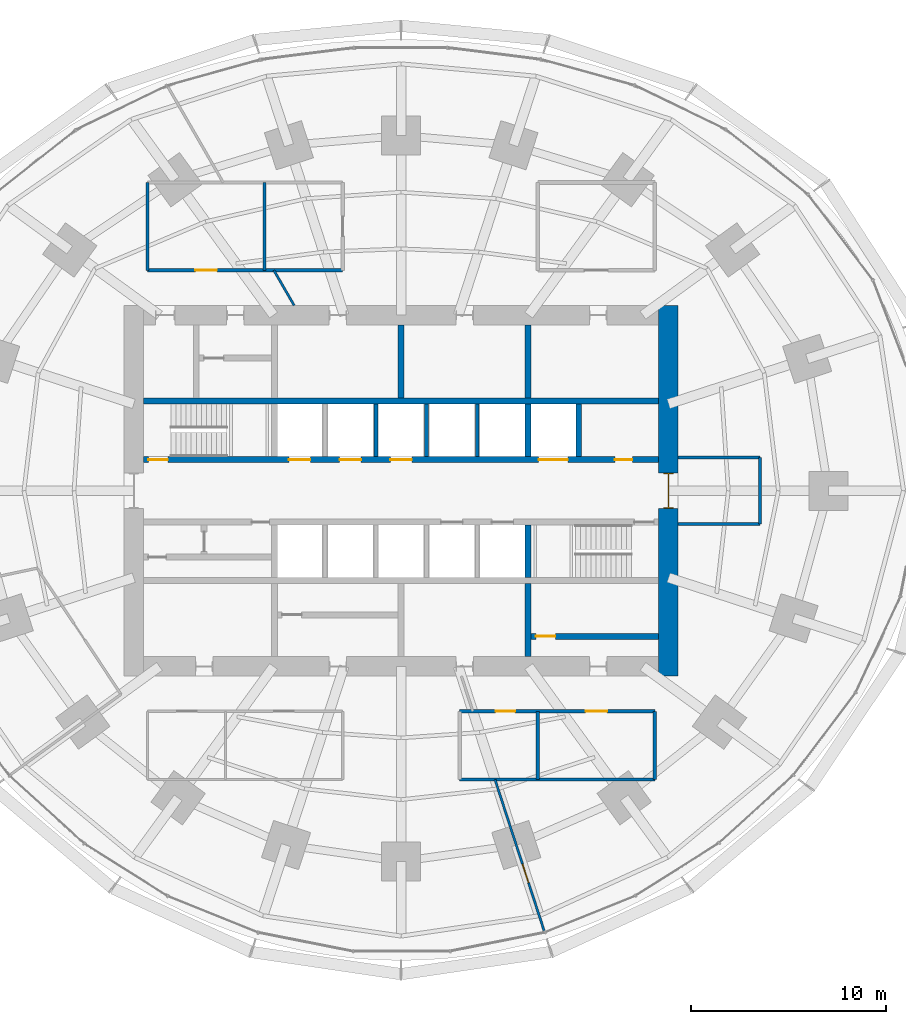
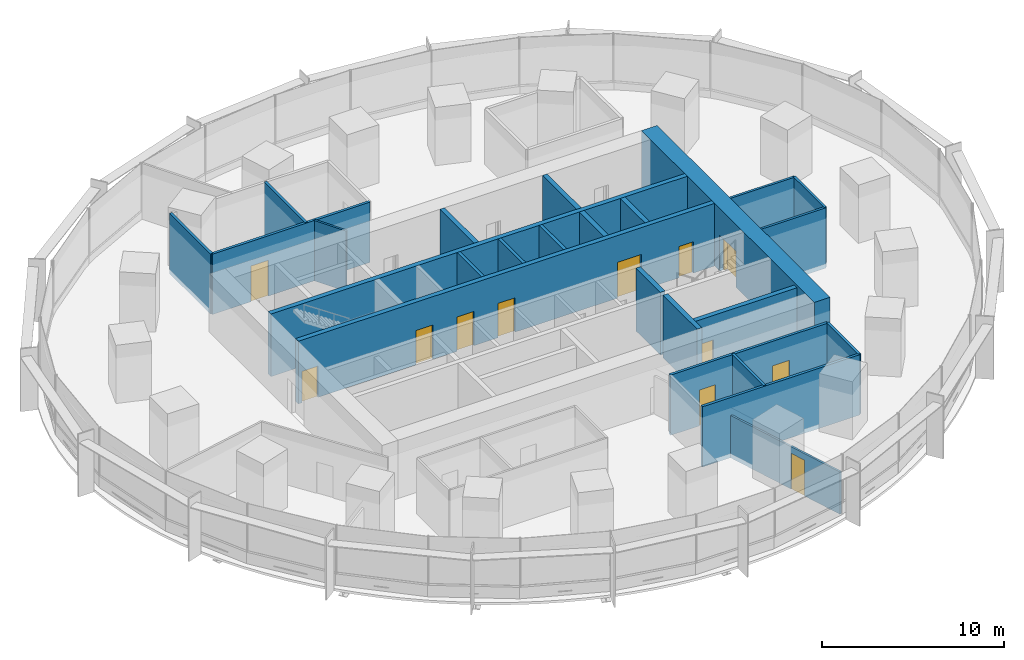
# One storey, part 12 of 15: 25 walls, 12 doors, 12 openings.
"""IFC4 building model written with IfcOpenShell, lengths in metres."""

from ifc_helpers import new_model, si_unit, direction, frame, frame_2d, origin, place, context, subcontext, project, spatial, rectangle, extrude, material, layer, layer_set, type_object, element, fill, save


model = new_model("IFC4")

# Units and contexts
model_context = context("Model", 3, precision=1e-05, world=origin(), true_north=direction((0.0, 1.0)))
body_context = subcontext(model_context, "Body", "Model", "MODEL_VIEW")
ifc_project = project(units=[si_unit("LENGTHUNIT", "METRE"), si_unit("AREAUNIT", "SQUARE_METRE"), si_unit("VOLUMEUNIT", "CUBIC_METRE"), si_unit("PLANEANGLEUNIT", "RADIAN"), si_unit("MASSUNIT", "GRAM", prefix="KILO")], contexts=[model_context])

# Site, building, storey
site_placement = place(None, origin())
site = spatial("IfcSite", under=ifc_project, at=site_placement, CompositionType="ELEMENT")
building_placement = place(site_placement, origin())
building = spatial("IfcBuilding", under=site, at=building_placement, Name="Marramba Exchange Tower", CompositionType="ELEMENT")
storey_placement = place(building_placement, frame((0.0, 0.0, 28.0)))
storey = spatial("IfcBuildingStorey", under=building, at=storey_placement, Name="L06", CompositionType="ELEMENT", Elevation=28.0)

# Walls
ifc_material_1 = material(Name="Plasterboard on staggered double steel studs, acoustic insulation", Category="steel")
ifc_layer_1 = layer(ifc_material_1, 0.169921875)
ifc_layer_set_1 = layer_set([ifc_layer_1], Name="Acoustic partition 170")
wall_type_1 = type_object("IfcWallType", Name="Acoustic partition 170", PredefinedType="PARTITIONING", material=ifc_layer_set_1)
wall_1_placement = place(storey_placement, frame((7.0, -11.300048828125, 0.0), z_axis=(0.0, 0.0, 1.0), x_axis=(0.0, -1.0, 0.0)))
element("IfcWall", 1, at=wall_1_placement, inside=storey, type_object=wall_type_1, Name="Acoustic partition L06 12", PredefinedType="PARTITIONING", context=body_context, shape_type="SweptSolid", body=[
    extrude(rectangle(XDim=3.5, YDim=0.169921875, at=frame_2d((1.75, 0.0))), origin(), (0.0, 0.0, 1.0), 4.0400390625),
])
wall_2_placement = place(storey_placement, frame((3.0, -14.800048828125, 0.0), z_axis=(0.0, 0.0, 1.0), x_axis=(1.0, 0.0, 0.0)))
element("IfcWall", 2, at=wall_2_placement, inside=storey, type_object=wall_type_1, Name="Acoustic partition L06 13", PredefinedType="PARTITIONING", context=body_context, shape_type="SweptSolid", body=[
    extrude(rectangle(XDim=10.0, YDim=0.169921875, at=frame_2d((5.0, 0.0))), origin(), (0.0, 0.0, 1.0), 4.0400390625),
])

# Wall, openings, doors
wall_3_placement = place(storey_placement, frame((13.0, -11.300048828125, 0.0), z_axis=(0.0, 0.0, 1.0), x_axis=(-1.0, 0.0, 0.0)))
wall_3 = element("IfcWall", 3, at=wall_3_placement, inside=storey, type_object=wall_type_1, Name="Acoustic partition L06 14", PredefinedType="PARTITIONING", context=body_context, shape_type="SweptSolid", body=[
    extrude(rectangle(XDim=10.0, YDim=0.169921875, at=frame_2d((5.0, 0.0))), origin(), (0.0, 0.0, 1.0), 4.0400390625),
])
opening_1_placement = place(wall_3_placement, frame((7.1640625, 0.0, 0.0)))
opening_1 = element("IfcOpeningElement", 4, at=opening_1_placement, cuts=wall_3, Name="Opening D9", PredefinedType="OPENING", context=body_context, shape_type="SweptSolid", body=[
    extrude(rectangle(XDim=1.0, YDim=2.39990234375, at=frame_2d((0.5, 1.199951171875))), frame((0.0, 0.094970703125, 0.0), z_axis=(0.0, -1.0, 0.0), x_axis=(1.0, 0.0, 0.0)), (0.0, 0.0, 1.0), 0.18994140625),
])
opening_2_placement = place(wall_3_placement, frame((2.449951171875, 0.0, 0.0)))
opening_2 = element("IfcOpeningElement", 5, at=opening_2_placement, cuts=wall_3, Name="Opening D15", PredefinedType="OPENING", context=body_context, shape_type="SweptSolid", body=[
    extrude(rectangle(XDim=1.10009765625, YDim=2.39990234375, at=frame_2d((0.550048828125, 1.199951171875))), frame((0.0, 0.094970703125, 0.0), z_axis=(0.0, -1.0, 0.0), x_axis=(1.0, 0.0, 0.0)), (0.0, 0.0, 1.0), 0.18994140625),
])
ifc_material_2 = material(Name="Timber door", Category="wood")
door_type_1 = type_object("IfcDoorType", Name="Glazed meeting room door 1100x2400", OperationType="SINGLE_SWING_LEFT", PredefinedType="DOOR", material=ifc_material_2)
door_1_placement = place(opening_2_placement, origin())
door_1 = element("IfcDoor", 6, at=door_1_placement, inside=storey, type_object=door_type_1, Name="D15 Meeting Room 2 L06", OperationType="SINGLE_SWING_RIGHT", OverallHeight=2.39990234375, OverallWidth=1.10009765625, PredefinedType="DOOR", context=body_context, shape_type="SweptSolid", body=[
    extrude(rectangle(XDim=1.10009765625, YDim=2.39990234375, at=frame_2d((0.550048828125, 1.199951171875))), frame((0.0, 0.02490234375, 0.0), z_axis=(0.0, -1.0, 0.0), x_axis=(1.0, 0.0, 0.0)), (0.0, 0.0, 1.0), 0.050048828125),
])
fill(opening_2, door_1)
door_type_2 = type_object("IfcDoorType", Name="Room door 1000x2400", OperationType="SINGLE_SWING_LEFT", PredefinedType="DOOR", material=ifc_material_2)
door_2_placement = place(opening_1_placement, origin())
door_2 = element("IfcDoor", 7, at=door_2_placement, inside=storey, type_object=door_type_2, Name="D9 Quiet Room L06", OperationType="SINGLE_SWING_LEFT", OverallHeight=2.39990234375, OverallWidth=1.0, PredefinedType="DOOR", context=body_context, shape_type="SweptSolid", body=[
    extrude(rectangle(XDim=1.0, YDim=2.39990234375, at=frame_2d((0.5, 1.199951171875))), frame((0.0, 0.02490234375, 0.0), z_axis=(0.0, -1.0, 0.0), x_axis=(1.0, 0.0, 0.0)), (0.0, 0.0, 1.0), 0.050048828125),
])
fill(opening_1, door_2)

# Walls
wall_4_placement = place(storey_placement, frame((13.0, -14.800048828125, 0.0), z_axis=(0.0, 0.0, 1.0), x_axis=(0.0, 1.0, 0.0)))
element("IfcWall", 8, at=wall_4_placement, inside=storey, type_object=wall_type_1, Name="Acoustic partition L06 15", PredefinedType="PARTITIONING", context=body_context, shape_type="SweptSolid", body=[
    extrude(rectangle(XDim=3.5, YDim=0.169921875, at=frame_2d((1.75, 0.0))), origin(), (0.0, 0.0, 1.0), 4.0400390625),
])
wall_5_placement = place(storey_placement, frame((-7.0, 15.800048828125, 0.0), z_axis=(0.0, 0.0, 1.0), x_axis=(0.0, -1.0, 0.0)))
element("IfcWall", 9, at=wall_5_placement, inside=storey, type_object=wall_type_1, Name="Acoustic partition L06 25", PredefinedType="PARTITIONING", context=body_context, shape_type="SweptSolid", body=[
    extrude(rectangle(XDim=4.5, YDim=0.169921875, at=frame_2d((2.25, 0.0))), origin(), (0.0, 0.0, 1.0), 4.0400390625),
])

# Wall, opening, door
wall_6_placement = place(storey_placement, frame((-13.0, 11.300048828125, 0.0), z_axis=(0.0, 0.0, 1.0), x_axis=(1.0, 0.0, 0.0)))
wall_6 = element("IfcWall", 10, at=wall_6_placement, inside=storey, type_object=wall_type_1, Name="Acoustic partition L06 28", PredefinedType="PARTITIONING", context=body_context, shape_type="SweptSolid", body=[
    extrude(rectangle(XDim=10.0, YDim=0.169921875, at=frame_2d((5.0, 0.0))), origin(), (0.0, 0.0, 1.0), 4.0400390625),
])
opening_3_placement = place(wall_6_placement, frame((2.449951171875, 0.0, 0.0)))
opening_3 = element("IfcOpeningElement", 11, at=opening_3_placement, cuts=wall_6, Name="Opening D15", PredefinedType="OPENING", context=body_context, shape_type="SweptSolid", body=[
    extrude(rectangle(XDim=1.10009765625, YDim=2.39990234375, at=frame_2d((0.550048828125, 1.199951171875))), frame((0.0, 0.094970703125, 0.0), z_axis=(0.0, -1.0, 0.0), x_axis=(1.0, 0.0, 0.0)), (0.0, 0.0, 1.0), 0.18994140625),
])
door_3_placement = place(opening_3_placement, origin())
door_3 = element("IfcDoor", 12, at=door_3_placement, inside=storey, type_object=door_type_1, Name="D15 Meeting Room 1 L06", OperationType="SINGLE_SWING_RIGHT", OverallHeight=2.39990234375, OverallWidth=1.10009765625, PredefinedType="DOOR", context=body_context, shape_type="SweptSolid", body=[
    extrude(rectangle(XDim=1.10009765625, YDim=2.39990234375, at=frame_2d((0.550048828125, 1.199951171875))), frame((0.0, 0.02490234375, 0.0), z_axis=(0.0, -1.0, 0.0), x_axis=(1.0, 0.0, 0.0)), (0.0, 0.0, 1.0), 0.050048828125),
])
fill(opening_3, door_3)

# Walls
wall_7_placement = place(storey_placement, frame((-13.0, 15.800048828125, 0.0), z_axis=(0.0, 0.0, 1.0), x_axis=(0.0, -1.0, 0.0)))
element("IfcWall", 13, at=wall_7_placement, inside=storey, type_object=wall_type_1, Name="Acoustic partition L06 29", PredefinedType="PARTITIONING", context=body_context, shape_type="SweptSolid", body=[
    extrude(rectangle(XDim=4.5, YDim=0.169921875, at=frame_2d((2.25, 0.0))), origin(), (0.0, 0.0, 1.0), 4.0400390625),
])
ifc_material_3 = material(Name="Concrete N50", Category="concrete")
ifc_layer_2 = layer(ifc_material_3, 0.199951171875)
ifc_layer_set_2 = layer_set([ifc_layer_2], Name="Core shaft wall 200")
wall_type_2 = type_object("IfcWallType", Name="Core shaft wall 200", PredefinedType="SHEAR", material=ifc_layer_set_2)
for number, where, z_axis, x_axis, name in (
    (14, (-1.300048828125, 1.75, 0.0), (0.0, 0.0, 1.0), (0.0, 1.0, 0.0), "Core wall SHN2 L06"),
    (15, (1.300048828125, 1.75, 0.0), (0.0, 0.0, 1.0), (0.0, 1.0, 0.0), "Core wall SHN3 L06"),
    (16, (3.89990234375, 1.75, 0.0), (0.0, 0.0, 1.0), (0.0, 1.0, 0.0), "Core wall SHN4 L06"),
):
    element("IfcWall", number, at=place(storey_placement, frame(where, z_axis=z_axis, x_axis=x_axis)), inside=storey, type_object=wall_type_2, Name=name, PredefinedType="SHEAR", context=body_context, shape_type="SweptSolid", body=[
        extrude(rectangle(XDim=2.699951171875, YDim=0.199951171875, at=frame_2d((1.35009765625, 0.0))), origin(), (0.0, 0.0, 1.0), 4.199951171875),
    ])

# Wall, opening, door
ifc_layer_3 = layer(ifc_material_3, 1.0)
ifc_layer_set_3 = layer_set([ifc_layer_3], Name="Core wall 1000")
wall_type_3 = type_object("IfcWallType", Name="Core wall 1000", PredefinedType="SHEAR", material=ifc_layer_set_3)
wall_8_placement = place(storey_placement, frame((13.699951171875, -9.5, 0.0), z_axis=(0.0, 0.0, 1.0), x_axis=(0.0, 1.0, 0.0)))
wall_8 = element("IfcWall", 17, at=wall_8_placement, inside=storey, type_object=wall_type_3, Name="Core wall E L06", PredefinedType="SHEAR", context=body_context, shape_type="SweptSolid", body=[
    extrude(rectangle(XDim=19.0, YDim=1.0, at=frame_2d((9.5, 0.0))), origin(), (0.0, 0.0, 1.0), 4.199951171875),
])
opening_4_placement = place(wall_8_placement, frame((8.60009765625, 0.0, 0.0)))
opening_4 = element("IfcOpeningElement", 18, at=opening_4_placement, cuts=wall_8, Name="Opening D1", PredefinedType="OPENING", context=body_context, shape_type="SweptSolid", body=[
    extrude(rectangle(XDim=1.800048828125, YDim=2.39990234375, at=frame_2d((0.89990234375, 1.199951171875))), frame((0.0, 0.510009765625, 0.0), z_axis=(0.0, -1.0, 0.0), x_axis=(1.0, 0.0, 0.0)), (0.0, 0.0, 1.0), 1.02001953125),
])
ifc_material_4 = material(Name="Steel-framed door", Category="steel")
door_type_3 = type_object("IfcDoorType", Name="Lobby exit door 1800x2400", OperationType="DOUBLE_DOOR_SINGLE_SWING", PredefinedType="DOOR", material=ifc_material_4)
door_4_placement = place(opening_4_placement, frame((1.800048828125, 0.0, 0.0), z_axis=(0.0, 0.0, 1.0), x_axis=(-1.0, 0.0, 0.0)))
door_4 = element("IfcDoor", 19, at=door_4_placement, inside=storey, type_object=door_type_3, Name="D1 lobby exit east L06", OperationType="DOUBLE_DOOR_SINGLE_SWING", OverallHeight=2.39990234375, OverallWidth=1.800048828125, PredefinedType="DOOR", context=body_context, shape_type="SweptSolid", body=[
    extrude(rectangle(XDim=1.719970703125, YDim=2.35986328125, at=frame_2d((0.900146484375, 1.179931640625))), frame((0.0, 0.025146484375, 0.0), z_axis=(0.0, -1.0, 0.0), x_axis=(1.0, 0.0, 0.0)), (0.0, 0.0, 1.0), 0.050048828125),
    extrude(rectangle(XDim=0.04, YDim=2.39990234375, at=frame_2d((1.780029296875, 1.199951171875))), frame((0.0, 0.25, 0.0), z_axis=(0.0, -1.0, 0.0), x_axis=(1.0, 0.0, 0.0)), (0.0, 0.0, 1.0), 0.5),
    extrude(rectangle(XDim=0.04, YDim=2.39990234375, at=frame_2d((0.02001953125, 1.199951171875))), frame((0.0, 0.25, 0.0), z_axis=(0.0, -1.0, 0.0), x_axis=(1.0, 0.0, 0.0)), (0.0, 0.0, 1.0), 0.5),
    extrude(rectangle(XDim=1.719970703125, YDim=0.04, at=frame_2d((0.900146484375, 2.3798828125))), frame((0.0, 0.25, 0.0), z_axis=(0.0, -1.0, 0.0), x_axis=(1.0, 0.0, 0.0)), (0.0, 0.0, 1.0), 0.5),
])
fill(opening_4, door_4)

# Wall, openings, doors
ifc_layer_4 = layer(ifc_material_3, 0.300048828125)
ifc_layer_set_4 = layer_set([ifc_layer_4], Name="Core wall 300")
wall_type_4 = type_object("IfcWallType", Name="Core wall 300", PredefinedType="SHEAR", material=ifc_layer_set_4)
wall_9_placement = place(storey_placement, frame((-13.199951171875, 1.60009765625, 0.0), z_axis=(0.0, 0.0, 1.0), x_axis=(1.0, 0.0, 0.0)))
wall_9 = element("IfcWall", 20, at=wall_9_placement, inside=storey, type_object=wall_type_4, Name="Core wall LN L06", PredefinedType="SHEAR", context=body_context, shape_type="SweptSolid", body=[
    extrude(rectangle(XDim=26.39990234375, YDim=0.300048828125, at=frame_2d((13.199951171875, 0.0))), origin(), (0.0, 0.0, 1.0), 4.199951171875),
])
opening_5_placement = place(wall_9_placement, frame((0.25, 0.0, 0.0)))
opening_5 = element("IfcOpeningElement", 21, at=opening_5_placement, cuts=wall_9, Name="Opening D2", PredefinedType="OPENING", context=body_context, shape_type="SweptSolid", body=[
    extrude(rectangle(XDim=1.0, YDim=2.10009765625, at=frame_2d((0.5, 1.050048828125))), frame((0.0, 0.159912109375, 0.0), z_axis=(0.0, -1.0, 0.0), x_axis=(1.0, 0.0, 0.0)), (0.0, 0.0, 1.0), 0.320068359375),
])
opening_6_placement = place(wall_9_placement, frame((20.25, 0.0, 0.0)))
opening_6 = element("IfcOpeningElement", 22, at=opening_6_placement, cuts=wall_9, Name="Opening LD3", PredefinedType="OPENING", context=body_context, shape_type="SweptSolid", body=[
    extrude(rectangle(XDim=1.5, YDim=2.39990234375, at=frame_2d((0.75, 1.199951171875))), frame((0.0, 0.159912109375, 0.0), z_axis=(0.0, -1.0, 0.0), x_axis=(1.0, 0.0, 0.0)), (0.0, 0.0, 1.0), 0.320068359375),
])
opening_7_placement = place(wall_9_placement, frame((7.449951171875, 0.0, 0.0)))
opening_7 = element("IfcOpeningElement", 23, at=opening_7_placement, cuts=wall_9, Name="Opening LD1", PredefinedType="OPENING", context=body_context, shape_type="SweptSolid", body=[
    extrude(rectangle(XDim=1.10009765625, YDim=2.300048828125, at=frame_2d((0.550048828125, 1.14990234375))), frame((0.0, 0.159912109375, 0.0), z_axis=(0.0, -1.0, 0.0), x_axis=(1.0, 0.0, 0.0)), (0.0, 0.0, 1.0), 0.320068359375),
])
opening_8_placement = place(wall_9_placement, frame((10.050048828125, 0.0, 0.0)))
opening_8 = element("IfcOpeningElement", 24, at=opening_8_placement, cuts=wall_9, Name="Opening LD1", PredefinedType="OPENING", context=body_context, shape_type="SweptSolid", body=[
    extrude(rectangle(XDim=1.10009765625, YDim=2.300048828125, at=frame_2d((0.550048828125, 1.14990234375))), frame((0.0, 0.159912109375, 0.0), z_axis=(0.0, -1.0, 0.0), x_axis=(1.0, 0.0, 0.0)), (0.0, 0.0, 1.0), 0.320068359375),
])
opening_9_placement = place(wall_9_placement, frame((12.64990234375, 0.0, 0.0)))
opening_9 = element("IfcOpeningElement", 25, at=opening_9_placement, cuts=wall_9, Name="Opening LD1", PredefinedType="OPENING", context=body_context, shape_type="SweptSolid", body=[
    extrude(rectangle(XDim=1.10009765625, YDim=2.300048828125, at=frame_2d((0.550048828125, 1.14990234375))), frame((0.0, 0.159912109375, 0.0), z_axis=(0.0, -1.0, 0.0), x_axis=(1.0, 0.0, 0.0)), (0.0, 0.0, 1.0), 0.320068359375),
])
opening_10_placement = place(wall_9_placement, frame((24.14990234375, 0.0, 0.0)))
opening_10 = element("IfcOpeningElement", 26, at=opening_10_placement, cuts=wall_9, Name="Opening D5", PredefinedType="OPENING", context=body_context, shape_type="SweptSolid", body=[
    extrude(rectangle(XDim=0.89990234375, YDim=2.10009765625, at=frame_2d((0.449951171875, 1.050048828125))), frame((0.0, 0.159912109375, 0.0), z_axis=(0.0, -1.0, 0.0), x_axis=(1.0, 0.0, 0.0)), (0.0, 0.0, 1.0), 0.320068359375),
])
door_type_4 = type_object("IfcDoorType", Name="Goods lift landing door 1500x2400", OperationType="SLIDING_TO_LEFT", PredefinedType="DOOR", material=ifc_material_4)
door_5_placement = place(opening_6_placement, origin())
door_5 = element("IfcDoor", 27, at=door_5_placement, inside=storey, type_object=door_type_4, Name="GL1 landing door L06", OperationType="SLIDING_TO_LEFT", OverallHeight=2.39990234375, OverallWidth=1.5, PredefinedType="DOOR", context=body_context, shape_type="SweptSolid", body=[
    extrude(rectangle(XDim=1.5, YDim=2.39990234375, at=frame_2d((0.75, 1.199951171875))), frame((0.0, 0.02490234375, 0.0), z_axis=(0.0, -1.0, 0.0), x_axis=(1.0, 0.0, 0.0)), (0.0, 0.0, 1.0), 0.050048828125),
])
fill(opening_6, door_5)
door_type_5 = type_object("IfcDoorType", Name="Lift landing door 1100x2300", OperationType="SLIDING_TO_LEFT", PredefinedType="DOOR", material=ifc_material_4)
door_6_placement = place(opening_7_placement, origin())
door_6 = element("IfcDoor", 28, at=door_6_placement, inside=storey, type_object=door_type_5, Name="LA1 landing door L06", OperationType="SLIDING_TO_LEFT", OverallHeight=2.300048828125, OverallWidth=1.10009765625, PredefinedType="DOOR", context=body_context, shape_type="SweptSolid", body=[
    extrude(rectangle(XDim=1.10009765625, YDim=2.300048828125, at=frame_2d((0.550048828125, 1.14990234375))), frame((0.0, 0.02490234375, 0.0), z_axis=(0.0, -1.0, 0.0), x_axis=(1.0, 0.0, 0.0)), (0.0, 0.0, 1.0), 0.050048828125),
])
fill(opening_7, door_6)
door_7_placement = place(opening_8_placement, origin())
door_7 = element("IfcDoor", 29, at=door_7_placement, inside=storey, type_object=door_type_5, Name="LA2 landing door L06", OperationType="SLIDING_TO_LEFT", OverallHeight=2.300048828125, OverallWidth=1.10009765625, PredefinedType="DOOR", context=body_context, shape_type="SweptSolid", body=[
    extrude(rectangle(XDim=1.10009765625, YDim=2.300048828125, at=frame_2d((0.550048828125, 1.14990234375))), frame((0.0, 0.02490234375, 0.0), z_axis=(0.0, -1.0, 0.0), x_axis=(1.0, 0.0, 0.0)), (0.0, 0.0, 1.0), 0.050048828125),
])
fill(opening_8, door_7)
door_8_placement = place(opening_9_placement, origin())
door_8 = element("IfcDoor", 30, at=door_8_placement, inside=storey, type_object=door_type_5, Name="LA3 landing door L06", OperationType="SLIDING_TO_RIGHT", OverallHeight=2.300048828125, OverallWidth=1.10009765625, PredefinedType="DOOR", context=body_context, shape_type="SweptSolid", body=[
    extrude(rectangle(XDim=1.10009765625, YDim=2.300048828125, at=frame_2d((0.550048828125, 1.14990234375))), frame((0.0, 0.02490234375, 0.0), z_axis=(0.0, -1.0, 0.0), x_axis=(1.0, 0.0, 0.0)), (0.0, 0.0, 1.0), 0.050048828125),
])
fill(opening_9, door_8)
door_type_6 = type_object("IfcDoorType", Name="Service door 900x2100", OperationType="SINGLE_SWING_LEFT", PredefinedType="DOOR", material=ifc_material_4)
door_9_placement = place(opening_10_placement, origin())
door_9 = element("IfcDoor", 31, at=door_9_placement, inside=storey, type_object=door_type_6, Name="D5 riser L06", OperationType="SINGLE_SWING_RIGHT", OverallHeight=2.10009765625, OverallWidth=0.89990234375, PredefinedType="DOOR", context=body_context, shape_type="SweptSolid", body=[
    extrude(rectangle(XDim=0.89990234375, YDim=2.10009765625, at=frame_2d((0.449951171875, 1.050048828125))), frame((0.0, 0.02490234375, 0.0), z_axis=(0.0, -1.0, 0.0), x_axis=(1.0, 0.0, 0.0)), (0.0, 0.0, 1.0), 0.050048828125),
])
fill(opening_10, door_9)
door_type_7 = type_object("IfcDoorType", Name="Stair door 1000x2100", OperationType="SINGLE_SWING_LEFT", PredefinedType="DOOR", material=ifc_material_4)
door_10_placement = place(opening_5_placement, origin())
door_10 = element("IfcDoor", 32, at=door_10_placement, inside=storey, type_object=door_type_7, Name="D2 stair ST1 L06", OperationType="SINGLE_SWING_LEFT", OverallHeight=2.10009765625, OverallWidth=1.0, PredefinedType="DOOR", context=body_context, shape_type="SweptSolid", body=[
    extrude(rectangle(XDim=1.0, YDim=2.10009765625, at=frame_2d((0.5, 1.050048828125))), frame((0.0, 0.02490234375, 0.0), z_axis=(0.0, -1.0, 0.0), x_axis=(1.0, 0.0, 0.0)), (0.0, 0.0, 1.0), 0.050048828125),
])
fill(opening_5, door_10)

# Walls
wall_10_placement = place(storey_placement, frame((-13.199951171875, 4.60009765625, 0.0), z_axis=(0.0, 0.0, 1.0), x_axis=(1.0, 0.0, 0.0)))
element("IfcWall", 33, at=wall_10_placement, inside=storey, type_object=wall_type_4, Name="Core wall BN L06", PredefinedType="SHEAR", context=body_context, shape_type="SweptSolid", body=[
    extrude(rectangle(XDim=26.39990234375, YDim=0.300048828125, at=frame_2d((13.199951171875, 0.0))), origin(), (0.0, 0.0, 1.0), 4.199951171875),
])
wall_11_placement = place(storey_placement, frame((6.5, 1.75, 0.0), z_axis=(0.0, 0.0, 1.0), x_axis=(0.0, 1.0, 0.0)))
element("IfcWall", 34, at=wall_11_placement, inside=storey, type_object=wall_type_4, Name="Core wall X1Na L06", PredefinedType="SHEAR", context=body_context, shape_type="SweptSolid", body=[
    extrude(rectangle(XDim=2.699951171875, YDim=0.300048828125, at=frame_2d((1.35009765625, 0.0))), origin(), (0.0, 0.0, 1.0), 4.199951171875),
])
for number, where, z_axis, x_axis, name in (
    (35, (6.5, 4.75, 0.0), (0.0, 0.0, 1.0), (0.0, 1.0, 0.0), "Core wall X1Nb L06"),
    (36, (0.0, 4.75, 0.0), (0.0, 0.0, 1.0), (0.0, 1.0, 0.0), "Core wall MN L06"),
):
    element("IfcWall", number, at=place(storey_placement, frame(where, z_axis=z_axis, x_axis=x_axis)), inside=storey, type_object=wall_type_4, Name=name, PredefinedType="SHEAR", context=body_context, shape_type="SweptSolid", body=[
        extrude(rectangle(XDim=3.75, YDim=0.300048828125, at=frame_2d((1.875, 0.0))), origin(), (0.0, 0.0, 1.0), 4.199951171875),
    ])
wall_12_placement = place(storey_placement, frame((6.5, -1.75, 0.0), z_axis=(0.0, 0.0, 1.0), x_axis=(0.0, -1.0, 0.0)))
element("IfcWall", 37, at=wall_12_placement, inside=storey, type_object=wall_type_4, Name="Core wall X1Sa L06", PredefinedType="SHEAR", context=body_context, shape_type="SweptSolid", body=[
    extrude(rectangle(XDim=2.699951171875, YDim=0.300048828125, at=frame_2d((1.35009765625, 0.0))), origin(), (0.0, 0.0, 1.0), 4.199951171875),
])
wall_13_placement = place(storey_placement, frame((6.5, -4.75, 0.0), z_axis=(0.0, 0.0, 1.0), x_axis=(0.0, -1.0, 0.0)))
element("IfcWall", 38, at=wall_13_placement, inside=storey, type_object=wall_type_4, Name="Core wall X1Sb L06", PredefinedType="SHEAR", context=body_context, shape_type="SweptSolid", body=[
    extrude(rectangle(XDim=3.75, YDim=0.300048828125, at=frame_2d((1.875, 0.0))), origin(), (0.0, 0.0, 1.0), 4.199951171875),
])
wall_14_placement = place(storey_placement, frame((9.10009765625, 1.75, 0.0), z_axis=(0.0, 0.0, 1.0), x_axis=(0.0, 1.0, 0.0)))
element("IfcWall", 39, at=wall_14_placement, inside=storey, type_object=wall_type_4, Name="Core wall ED L06", PredefinedType="SHEAR", context=body_context, shape_type="SweptSolid", body=[
    extrude(rectangle(XDim=2.699951171875, YDim=0.300048828125, at=frame_2d((1.35009765625, 0.0))), origin(), (0.0, 0.0, 1.0), 4.199951171875),
])

# Wall, opening, door
ifc_material_5 = material(Name="Plasterboard on steel studs", Category="steel")
ifc_layer_5 = layer(ifc_material_5, 0.1201171875)
ifc_layer_set_5 = layer_set([ifc_layer_5], Name="Partition 120")
wall_type_5 = type_object("IfcWallType", Name="Partition 120", PredefinedType="PARTITIONING", material=ifc_layer_set_5)
wall_15_placement = place(storey_placement, frame((7.330078125, -22.56005859375, 0.0), z_axis=(0.0, 0.0, 1.0), x_axis=(-0.30900149873, 0.951061550996, 0.0)))
wall_15 = element("IfcWall", 40, at=wall_15_placement, inside=storey, type_object=wall_type_5, Name="Partition L06 11", PredefinedType="PARTITIONING", context=body_context, shape_type="SweptSolid", body=[
    extrude(rectangle(XDim=8.159423828125, YDim=0.1201171875, at=frame_2d((4.07958984375, 0.0))), origin(), (0.0, 0.0, 1.0), 2.840087890625),
])
opening_11_placement = place(wall_15_placement, frame((2.60302734375, 0.0, 0.0)))
opening_11 = element("IfcOpeningElement", 41, at=opening_11_placement, cuts=wall_15, Name="Opening D9", PredefinedType="OPENING", context=body_context, shape_type="SweptSolid", body=[
    extrude(rectangle(XDim=1.0, YDim=2.39990234375, at=frame_2d((0.5, 1.199951171875))), frame((0.0, 0.070068359375, 0.0), z_axis=(0.0, -1.0, 0.0), x_axis=(1.0, 0.0, 0.0)), (0.0, 0.0, 1.0), 0.14013671875),
])
door_11_placement = place(opening_11_placement, origin())
door_11 = element("IfcDoor", 42, at=door_11_placement, inside=storey, type_object=door_type_2, Name="D9 Equities Trading Floor L06", OperationType="SINGLE_SWING_LEFT", OverallHeight=2.39990234375, OverallWidth=1.0, PredefinedType="DOOR", context=body_context, shape_type="SweptSolid", body=[
    extrude(rectangle(XDim=1.0, YDim=2.39990234375, at=frame_2d((0.5, 1.199951171875))), frame((0.0, 0.02490234375, 0.0), z_axis=(0.0, -1.0, 0.0), x_axis=(1.0, 0.0, 0.0)), (0.0, 0.0, 1.0), 0.050048828125),
])
fill(opening_11, door_11)

# Wall
wall_16_placement = place(storey_placement, frame((-5.48486328125, 9.5, 0.0), z_axis=(0.0, 0.0, 1.0), x_axis=(-0.499929208183, 0.866066271601, 0.0)))
element("IfcWall", 43, at=wall_16_placement, inside=storey, type_object=wall_type_5, Name="Partition L06 26", PredefinedType="PARTITIONING", context=body_context, shape_type="SweptSolid", body=[
    extrude(rectangle(XDim=2.078369140625, YDim=0.1201171875, at=frame_2d((1.0390625, 0.0))), origin(), (0.0, 0.0, 1.0), 4.0400390625),
])

# Wall, opening, door
ifc_material_6 = material(Name="Plasterboard on steel studs, insulated, unrated", Category="steel")
ifc_layer_6 = layer(ifc_material_6, 0.300048828125)
ifc_layer_set_6 = layer_set([ifc_layer_6], Name="Store partition 300")
wall_type_6 = type_object("IfcWallType", Name="Store partition 300", PredefinedType="PARTITIONING", material=ifc_layer_set_6)
wall_17_placement = place(storey_placement, frame((6.64990234375, -7.4599609375, 0.0), z_axis=(0.0, 0.0, 1.0), x_axis=(1.0, 0.0, 0.0)))
wall_17 = element("IfcWall", 44, at=wall_17_placement, inside=storey, type_object=wall_type_6, Name="Store partition L06 cstore", PredefinedType="PARTITIONING", context=body_context, shape_type="SweptSolid", body=[
    extrude(rectangle(XDim=6.550048828125, YDim=0.300048828125, at=frame_2d((3.27490234375, 0.0))), origin(), (0.0, 0.0, 1.0), 4.0400390625),
])
opening_12_placement = place(wall_17_placement, frame((0.25, 0.0, 0.0)))
opening_12 = element("IfcOpeningElement", 45, at=opening_12_placement, cuts=wall_17, Name="Opening D9", PredefinedType="OPENING", context=body_context, shape_type="SweptSolid", body=[
    extrude(rectangle(XDim=1.0, YDim=2.39990234375, at=frame_2d((0.5, 1.199951171875))), frame((0.0, 0.159912109375, 0.0), z_axis=(0.0, -1.0, 0.0), x_axis=(1.0, 0.0, 0.0)), (0.0, 0.0, 1.0), 0.320068359375),
])
door_12_placement = place(opening_12_placement, frame((1.0, 0.0, 0.0), z_axis=(0.0, 0.0, 1.0), x_axis=(-1.0, 0.0, 0.0)))
door_12 = element("IfcDoor", 46, at=door_12_placement, inside=storey, type_object=door_type_2, Name="D9 general store L06", OperationType="SINGLE_SWING_RIGHT", OverallHeight=2.39990234375, OverallWidth=1.0, PredefinedType="DOOR", context=body_context, shape_type="SweptSolid", body=[
    extrude(rectangle(XDim=1.0, YDim=2.39990234375, at=frame_2d((0.5, 1.199951171875))), frame((0.0, 0.025146484375, 0.0), z_axis=(0.0, -1.0, 0.0), x_axis=(1.0, 0.0, 0.0)), (0.0, 0.0, 1.0), 0.050048828125),
])
fill(opening_12, door_12)

# Walls
ifc_material_7 = material(Name="Fire-rated plasterboard on steel studs, acoustic insulation", Category="steel")
ifc_layer_7 = layer(ifc_material_7, 0.14990234375)
ifc_layer_set_7 = layer_set([ifc_layer_7], Name="Tenancy wall 150")
wall_type_7 = type_object("IfcWallType", Name="Tenancy wall 150", PredefinedType="PARTITIONING", material=ifc_layer_set_7)
wall_18_placement = place(storey_placement, frame((14.199951171875, -1.699951171875, 0.0), z_axis=(0.0, 0.0, 1.0), x_axis=(1.0, 0.0, 0.0)))
element("IfcWall", 47, at=wall_18_placement, inside=storey, type_object=wall_type_7, Name="Tenancy wall L06 16", PredefinedType="PARTITIONING", context=body_context, shape_type="SweptSolid", body=[
    extrude(rectangle(XDim=4.199951171875, YDim=0.14990234375, at=frame_2d((2.10009765625, 0.0))), origin(), (0.0, 0.0, 1.0), 4.0400390625),
])
wall_19_placement = place(storey_placement, frame((18.39990234375, -1.699951171875, 0.0), z_axis=(0.0, 0.0, 1.0), x_axis=(0.0, 1.0, 0.0)))
element("IfcWall", 48, at=wall_19_placement, inside=storey, type_object=wall_type_7, Name="Tenancy wall L06 17", PredefinedType="PARTITIONING", context=body_context, shape_type="SweptSolid", body=[
    extrude(rectangle(XDim=3.39990234375, YDim=0.14990234375, at=frame_2d((1.699951171875, 0.0))), origin(), (0.0, 0.0, 1.0), 4.0400390625),
])
wall_20_placement = place(storey_placement, frame((18.39990234375, 1.699951171875, 0.0), z_axis=(0.0, 0.0, 1.0), x_axis=(-1.0, 0.0, 0.0)))
element("IfcWall", 49, at=wall_20_placement, inside=storey, type_object=wall_type_7, Name="Tenancy wall L06 18", PredefinedType="PARTITIONING", context=body_context, shape_type="SweptSolid", body=[
    extrude(rectangle(XDim=4.199951171875, YDim=0.14990234375, at=frame_2d((2.10009765625, 0.0))), origin(), (0.0, 0.0, 1.0), 4.0400390625),
])

save(model, "model.ifc")
